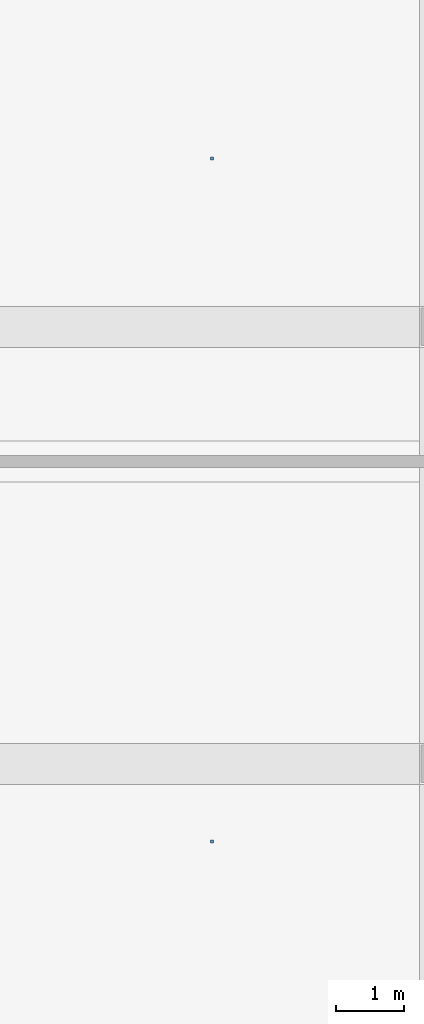
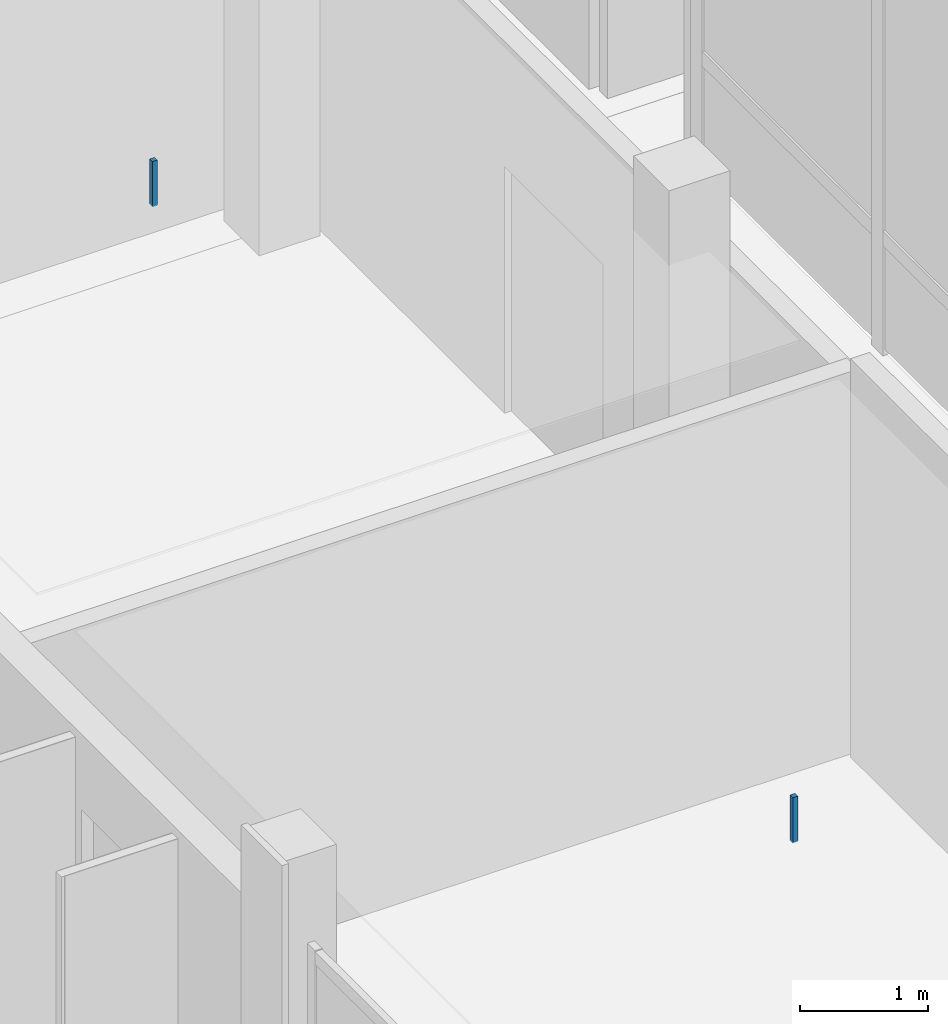
# One storey, part 67 of 95: 2 discrete accessories.
"""IFC4 building model written with IfcOpenShell, lengths in metres."""

from ifc_helpers import new_model, si_unit, derived_unit, direction, frame, origin, origin_2d, place, context, subcontext, project, spatial, rectangle, extrude, material, type_object, element, save


model = new_model("IFC4")

# Units and contexts
model_context = context("Model", 3, precision=1e-05, world=origin(), true_north=direction((0.0, 1.0)))
body_context = subcontext(model_context, "Body", "Model", "MODEL_VIEW")
ifc_project = project(units=[si_unit("LENGTHUNIT", "METRE"), si_unit("AREAUNIT", "SQUARE_METRE"), si_unit("VOLUMEUNIT", "CUBIC_METRE"), si_unit("PLANEANGLEUNIT", "RADIAN"), si_unit("MASSUNIT", "GRAM", prefix="KILO"), derived_unit("THERMALTRANSMITTANCEUNIT", [(si_unit("POWERUNIT", "WATT"), 1), (si_unit("LENGTHUNIT", "METRE"), -2), (si_unit("THERMODYNAMICTEMPERATUREUNIT", "KELVIN"), -1)])], contexts=[model_context])

# Site, building, storey
site_placement = place(None, origin())
site = spatial("IfcSite", under=ifc_project, at=site_placement, CompositionType="ELEMENT")
building_placement = place(site_placement, origin())
building = spatial("IfcBuilding", under=site, at=building_placement, Name="Braskholm Square Health Centre", CompositionType="ELEMENT")
storey_placement = place(building_placement, frame((0.0, 0.0, 4.800048828125)))
storey = spatial("IfcBuildingStorey", under=building, at=storey_placement, Name="L02", CompositionType="ELEMENT", Elevation=4.800048828125)

# Discrete accessories
ifc_material = material(Name="Steel ASTM A500 Grade C", Category="steel")
discrete_accessory_type = type_object("IfcDiscreteAccessoryType", Name="CeilingSuspensionBracket", PredefinedType="BRACKET", material=ifc_material)
for number, where, z_axis, x_axis, name in (
    (1, (8.06005859375, 35.06494140625, 3.7822265625), (0.0, 0.0, 1.0), (1.0, 0.0, 0.0), "Ceiling hanger bracket 0028"),
    (2, (8.06005859375, 45.06494140625, 3.7822265625), (0.0, 0.0, 1.0), (1.0, 0.0, 0.0), "Ceiling hanger bracket 0029"),
):
    element("IfcDiscreteAccessory", number, at=place(storey_placement, frame(where, z_axis=z_axis, x_axis=x_axis)), inside=storey, type_object=discrete_accessory_type, Name=name, PredefinedType="BRACKET", context=body_context, shape_type="SweptSolid", body=[
        extrude(rectangle(XDim=0.044921875, YDim=0.044921875, at=origin_2d()), origin(), (0.0, 0.0, 1.0), 0.429931640625),
    ])

save(model, "model.ifc")
